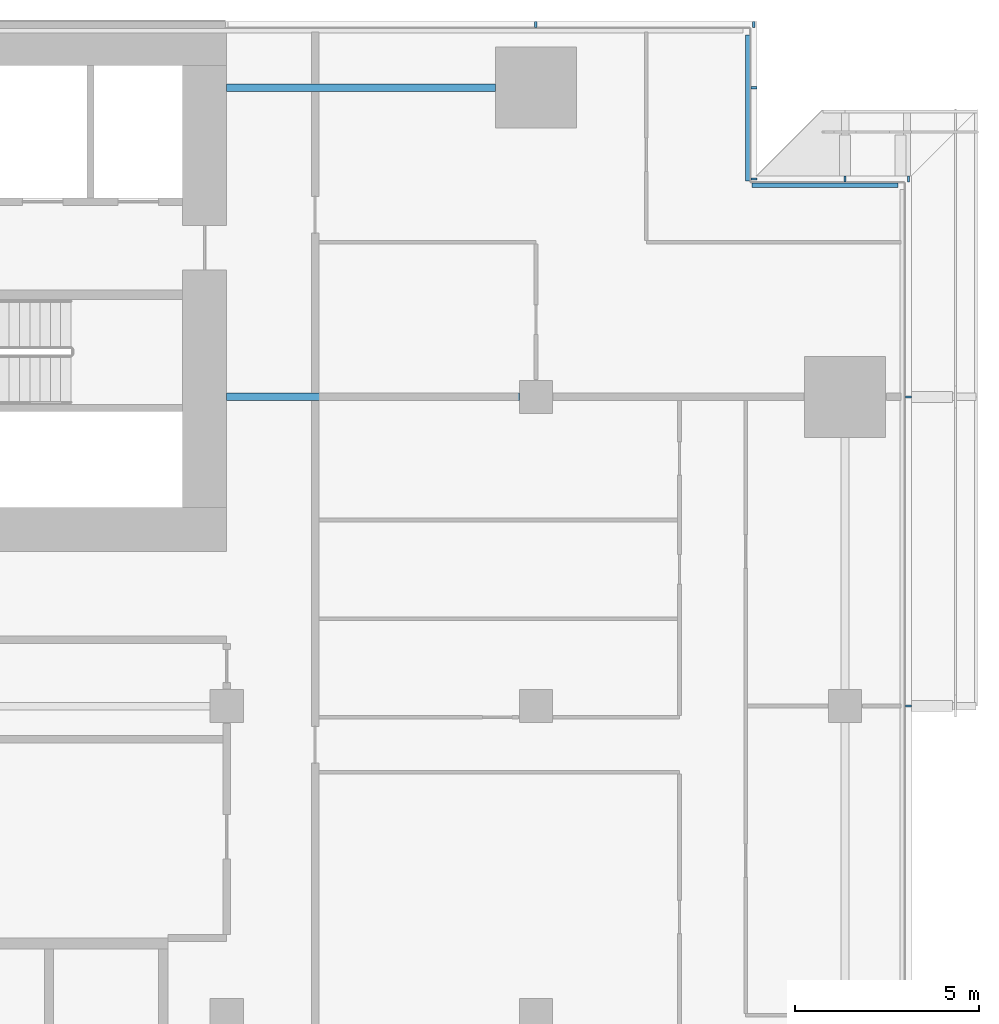
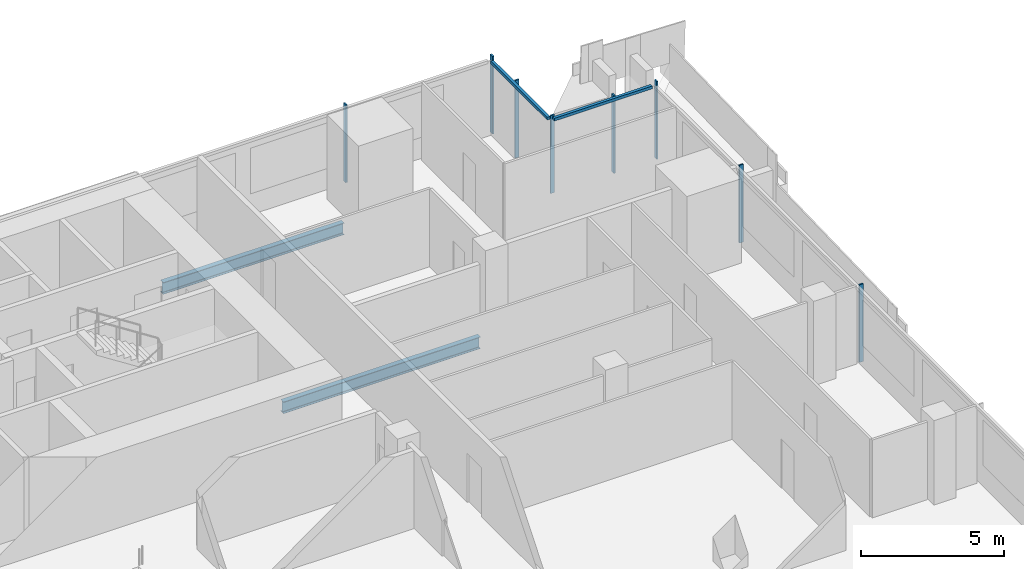
# One storey, part 14 of 29: 10 members, 2 beams, 4 elements without a shape of their own.
"""IFC4 building model written with IfcOpenShell, lengths in metres."""

from ifc_helpers import new_model, si_unit, direction, frame, origin, origin_2d, place, context, subcontext, project, spatial, rectangle, i_section, extrude, material, material_profile, profile_set, type_object, element, aggregate, save


model = new_model("IFC4")

# Units and contexts
model_context = context("Model", 3, precision=1e-05, world=origin(), true_north=direction((0.0, 1.0)))
body_context = subcontext(model_context, "Body", "Model", "MODEL_VIEW")
ifc_project = project(units=[si_unit("LENGTHUNIT", "METRE"), si_unit("AREAUNIT", "SQUARE_METRE"), si_unit("VOLUMEUNIT", "CUBIC_METRE"), si_unit("PLANEANGLEUNIT", "RADIAN"), si_unit("MASSUNIT", "GRAM", prefix="KILO")], contexts=[model_context])

# Site, building, storey
site_placement = place(None, origin())
site = spatial("IfcSite", under=ifc_project, at=site_placement, CompositionType="ELEMENT")
building_placement = place(site_placement, origin())
building = spatial("IfcBuilding", under=site, at=building_placement, Name="Saffron Gate Tower", CompositionType="ELEMENT")
storey_placement = place(building_placement, frame((0.0, 0.0, 55.199951171875)))
storey = spatial("IfcBuildingStorey", under=building, at=storey_placement, Name="L12", CompositionType="ELEMENT", Elevation=55.199951171875)

# Beams
ifc_material_1 = material(Name="Structural steel S355", Category="steel")
ifc_material_profile_1 = material_profile(ifc_material_1, i_section(OverallWidth=0.199951171875, OverallDepth=0.5, WebThickness=0.01025390625, FlangeThickness=0.01611328125, FilletRadius=0.02099609375, at=origin_2d()))
ifc_profile_set_1 = profile_set([ifc_material_profile_1], Name="Structural steel S355")
beam_type = type_object("IfcBeamType", Name="B10 IPE 500", PredefinedType="BEAM", material=ifc_profile_set_1)
beam_1_placement = place(storey_placement, frame((116.550048828125, 65.39990234375, -0.530029296875), z_axis=(-1.0, 0.0, 0.0), x_axis=(0.0, -1.0, 0.0)))
element("IfcBeam", 1, at=beam_1_placement, inside=storey, type_object=beam_type, Name="B10 CORE TIE BEAM", PredefinedType="BEAM", context=body_context, shape_type="SweptSolid", body=[
    extrude(i_section(OverallWidth=0.199951171875, OverallDepth=0.5, WebThickness=0.01025390625, FlangeThickness=0.01611328125, FilletRadius=0.02099609375, at=origin_2d()), origin(), (0.0, 0.0, 1.0), 7.949951171875),
])
beam_2_placement = place(storey_placement, frame((115.89990234375, 73.800048828125, -0.530029296875), z_axis=(-1.0, 0.0, 0.0), x_axis=(0.0, -1.0, 0.0)))
element("IfcBeam", 2, at=beam_2_placement, inside=storey, type_object=beam_type, Name="B10 CORE TIE BEAM", PredefinedType="BEAM", context=body_context, shape_type="SweptSolid", body=[
    extrude(i_section(OverallWidth=0.199951171875, OverallDepth=0.5, WebThickness=0.01025390625, FlangeThickness=0.01611328125, FilletRadius=0.02099609375, at=origin_2d()), origin(), (0.0, 0.0, 1.0), 7.2998046875),
])

# Curtain wall, members
ifc_material_2 = material(Name="Aluminium, bronze anodised", Category="aluminium")
curtain_wall_type_1 = type_object("IfcCurtainWallType", Name="CWS2 curtain wall side facades", PredefinedType="NOTDEFINED", material=ifc_material_2)
curtain_wall_1_placement = place(storey_placement, origin())
curtain_wall_1 = element("IfcCurtainWall", 3, at=curtain_wall_1_placement, inside=storey, type_object=curtain_wall_type_1, Name="CWS2 run 4", PredefinedType="NOTDEFINED")
ifc_material_profile_2 = material_profile(ifc_material_2, rectangle(XDim=0.159912109375, YDim=0.06005859375, at=origin_2d()))
ifc_profile_set_2 = profile_set([ifc_material_profile_2], Name="Aluminium, bronze anodised")
member_type_1 = type_object("IfcMemberType", Name="CWS2 mullion 60x160", PredefinedType="MULLION", material=ifc_profile_set_2)
member_1_placement = place(storey_placement, frame((127.1201171875, 57.0, 0.0), z_axis=(0.0, 0.0, 1.0), x_axis=(-1.0, 0.0, 0.0)))
member_1 = element("IfcMember", 4, at=member_1_placement, type_object=member_type_1, Name="CWS2 mullion 4", PredefinedType="MULLION", context=body_context, shape_type="SweptSolid", body=[
    extrude(rectangle(XDim=0.159912109375, YDim=0.06005859375, at=origin_2d()), origin(), (0.0, 0.0, 1.0), 3.320068359375),
])
member_2_placement = place(storey_placement, frame((127.1201171875, 65.39990234375, 0.0), z_axis=(0.0, 0.0, 1.0), x_axis=(-1.0, 0.0, 0.0)))
member_2 = element("IfcMember", 5, at=member_2_placement, type_object=member_type_1, Name="CWS2 mullion 5", PredefinedType="MULLION", context=body_context, shape_type="SweptSolid", body=[
    extrude(rectangle(XDim=0.159912109375, YDim=0.06005859375, at=origin_2d()), origin(), (0.0, 0.0, 1.0), 3.320068359375),
])
aggregate(curtain_wall_1, [member_1, member_2])

curtain_wall_type_2 = type_object("IfcCurtainWallType", Name="CWS3 curtain wall rear facade", PredefinedType="NOTDEFINED", material=ifc_material_2)
curtain_wall_2_placement = place(storey_placement, origin())
curtain_wall_2 = element("IfcCurtainWall", 6, at=curtain_wall_2_placement, inside=storey, type_object=curtain_wall_type_2, Name="CWS3 run 7", PredefinedType="NOTDEFINED")
ifc_material_profile_3 = material_profile(ifc_material_2, rectangle(XDim=0.159912109375, YDim=0.070068359375, at=origin_2d()))
ifc_profile_set_3 = profile_set([ifc_material_profile_3], Name="Aluminium, bronze anodised")
member_type_2 = type_object("IfcMemberType", Name="CWS3 mullion 70x160", PredefinedType="MULLION", material=ifc_profile_set_3)
member_3_placement = place(storey_placement, frame((122.919921875, 75.52001953125, 0.0), z_axis=(0.0, 0.0, 1.0), x_axis=(0.0, -1.0, 0.0)))
member_3 = element("IfcMember", 7, at=member_3_placement, type_object=member_type_2, Name="CWS3 mullion 1", PredefinedType="MULLION", context=body_context, shape_type="SweptSolid", body=[
    extrude(rectangle(XDim=0.159912109375, YDim=0.070068359375, at=origin_2d()), origin(), (0.0, 0.0, 1.0), 3.320068359375),
])
member_4_placement = place(storey_placement, frame((117.0, 75.52001953125, 0.0), z_axis=(0.0, 0.0, 1.0), x_axis=(0.0, -1.0, 0.0)))
member_4 = element("IfcMember", 8, at=member_4_placement, type_object=member_type_2, Name="CWS3 mullion 2", PredefinedType="MULLION", context=body_context, shape_type="SweptSolid", body=[
    extrude(rectangle(XDim=0.159912109375, YDim=0.070068359375, at=origin_2d()), origin(), (0.0, 0.0, 1.0), 3.320068359375),
])
aggregate(curtain_wall_2, [member_3, member_4])

# Curtain wall, member
curtain_wall_type_3 = type_object("IfcCurtainWallType", Name="CWS4 curtain wall corner returns", PredefinedType="NOTDEFINED", material=ifc_material_2)
curtain_wall_3_placement = place(storey_placement, origin())
curtain_wall_3 = element("IfcCurtainWall", 9, at=curtain_wall_3_placement, inside=storey, type_object=curtain_wall_type_3, Name="CWS4 run 5", PredefinedType="NOTDEFINED")
ifc_material_profile_4 = material_profile(ifc_material_2, rectangle(XDim=0.1201171875, YDim=0.1201171875, at=origin_2d()))
ifc_profile_set_4 = profile_set([ifc_material_profile_4], Name="Aluminium, bronze anodised")
member_type_3 = type_object("IfcMemberType", Name="CWS4 head transom", PredefinedType="USERDEFINED", material=ifc_profile_set_4)
member_5_placement = place(storey_placement, frame((126.83203125, 71.152099609375, 3.260009765625), z_axis=(-1.0, 0.0, 0.0), x_axis=(0.0, -1.0, 0.0)))
member_5 = element("IfcMember", 10, at=member_5_placement, type_object=member_type_3, Name="CWS4 head transom", ObjectType="TRANSOM", PredefinedType="USERDEFINED", context=body_context, shape_type="SweptSolid", body=[
    extrude(rectangle(XDim=0.1201171875, YDim=0.1201171875, at=origin_2d()), origin(), (0.0, 0.0, 1.0), 3.9599609375),
])

curtain_wall_4_placement = place(storey_placement, origin())
curtain_wall_4 = element("IfcCurtainWall", 11, at=curtain_wall_4_placement, inside=storey, type_object=curtain_wall_type_3, Name="CWS4 run 6", PredefinedType="NOTDEFINED")
member_6_placement = place(storey_placement, frame((122.751953125, 71.27197265625, 3.260009765625), z_axis=(0.0, 1.0, 0.0), x_axis=(-1.0, 0.0, 0.0)))
member_6 = element("IfcMember", 12, at=member_6_placement, type_object=member_type_3, Name="CWS4 head transom", ObjectType="TRANSOM", PredefinedType="USERDEFINED", context=body_context, shape_type="SweptSolid", body=[
    extrude(rectangle(XDim=0.1201171875, YDim=0.1201171875, at=origin_2d()), origin(), (0.0, 0.0, 1.0), 3.9599609375),
])

# Member
ifc_material_profile_5 = material_profile(ifc_material_2, rectangle(XDim=0.159912109375, YDim=0.06005859375, at=origin_2d()))
ifc_profile_set_5 = profile_set([ifc_material_profile_5], Name="Aluminium, bronze anodised")
member_type_4 = type_object("IfcMemberType", Name="CWS4 mullion 60x160", PredefinedType="MULLION", material=ifc_profile_set_5)
member_7_placement = place(storey_placement, frame((127.1201171875, 71.320068359375, 0.0), z_axis=(0.0, 0.0, 1.0), x_axis=(0.0, -1.0, 0.0)))
member_7 = element("IfcMember", 13, at=member_7_placement, type_object=member_type_4, Name="CWS4 mullion 1", PredefinedType="MULLION", context=body_context, shape_type="SweptSolid", body=[
    extrude(rectangle(XDim=0.159912109375, YDim=0.06005859375, at=origin_2d()), origin(), (0.0, 0.0, 1.0), 3.320068359375),
])

member_8_placement = place(storey_placement, frame((125.39990234375, 71.320068359375, 0.0), z_axis=(0.0, 0.0, 1.0), x_axis=(0.0, -1.0, 0.0)))
member_8 = element("IfcMember", 14, at=member_8_placement, type_object=member_type_4, Name="CWS4 mullion 2", PredefinedType="MULLION", context=body_context, shape_type="SweptSolid", body=[
    extrude(rectangle(XDim=0.159912109375, YDim=0.06005859375, at=origin_2d()), origin(), (0.0, 0.0, 1.0), 3.320068359375),
])

aggregate(curtain_wall_3, [member_7, member_8, member_5])

member_9_placement = place(storey_placement, frame((122.919921875, 71.320068359375, 0.0), z_axis=(0.0, 0.0, 1.0), x_axis=(-1.0, 0.0, 0.0)))
member_9 = element("IfcMember", 15, at=member_9_placement, type_object=member_type_4, Name="CWS4 mullion 1", PredefinedType="MULLION", context=body_context, shape_type="SweptSolid", body=[
    extrude(rectangle(XDim=0.159912109375, YDim=0.06005859375, at=origin_2d()), origin(), (0.0, 0.0, 1.0), 3.320068359375),
])

member_10_placement = place(storey_placement, frame((122.919921875, 73.800048828125, 0.0), z_axis=(0.0, 0.0, 1.0), x_axis=(-1.0, 0.0, 0.0)))
member_10 = element("IfcMember", 16, at=member_10_placement, type_object=member_type_4, Name="CWS4 mullion 2", PredefinedType="MULLION", context=body_context, shape_type="SweptSolid", body=[
    extrude(rectangle(XDim=0.159912109375, YDim=0.06005859375, at=origin_2d()), origin(), (0.0, 0.0, 1.0), 3.320068359375),
])

aggregate(curtain_wall_4, [member_9, member_10, member_6])

save(model, "model.ifc")
